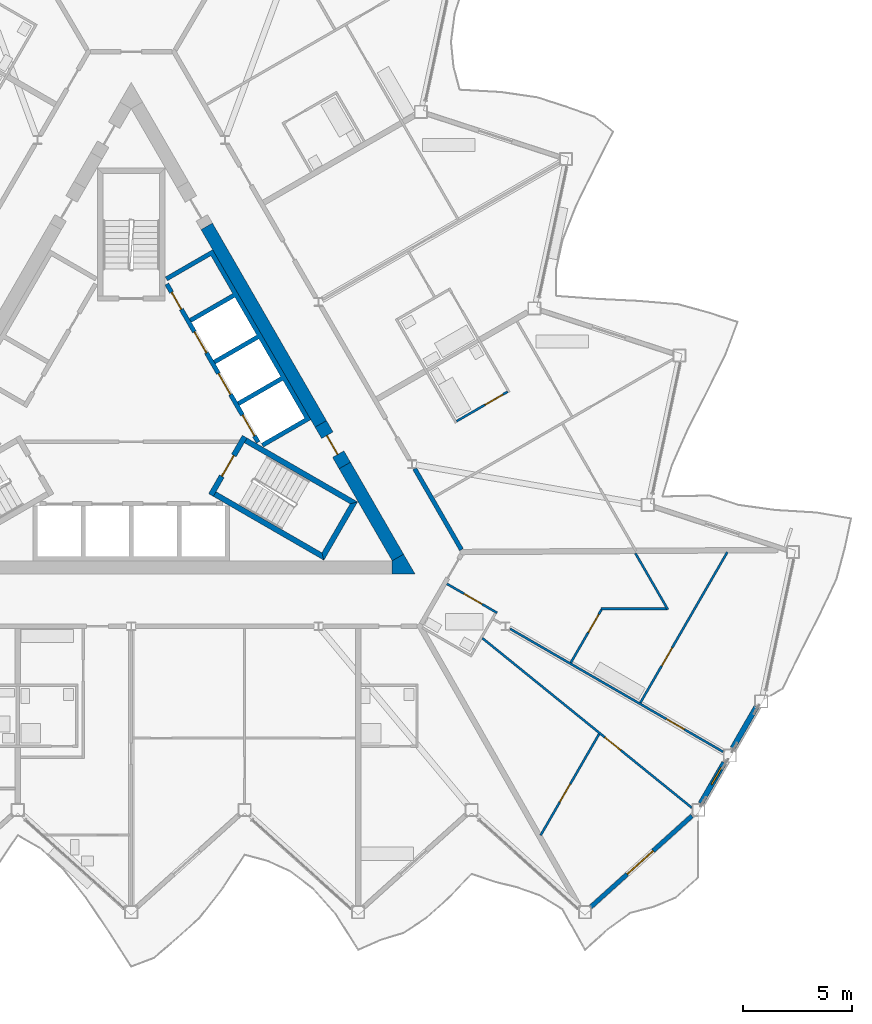
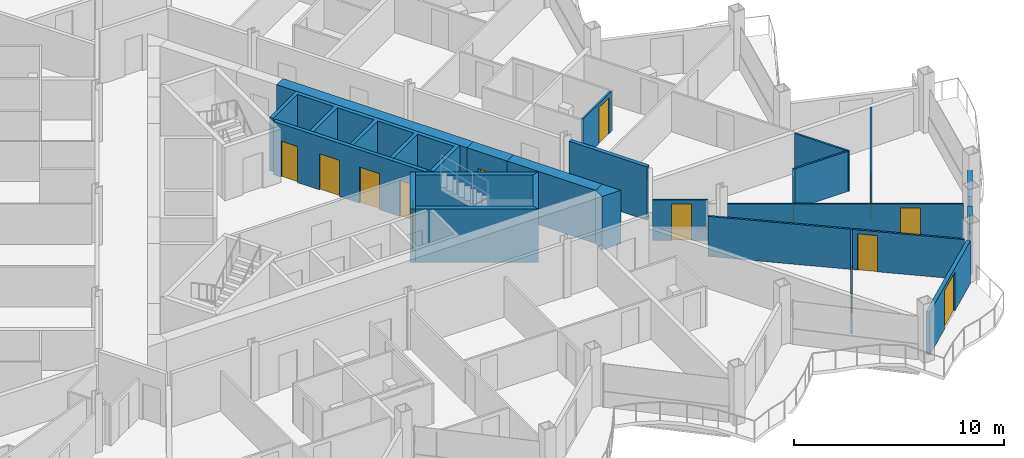
# One storey, part 15 of 26: 23 walls, 14 doors, 1 window, 15 openings.
"""IFC4 building model written with IfcOpenShell, lengths in metres."""

from ifc_helpers import new_model, si_unit, direction, frame, frame_2d, origin, place, context, subcontext, project, spatial, polyline, rectangle, outline, extrude, material, layer, layer_set, type_object, element, fill, save


model = new_model("IFC4")

# Units and contexts
model_context = context("Model", 3, precision=1e-05, world=origin(), true_north=direction((0.0, 1.0)))
body_context = subcontext(model_context, "Body", "Model", "MODEL_VIEW")
ifc_project = project(units=[si_unit("LENGTHUNIT", "METRE"), si_unit("AREAUNIT", "SQUARE_METRE"), si_unit("VOLUMEUNIT", "CUBIC_METRE"), si_unit("PLANEANGLEUNIT", "RADIAN"), si_unit("MASSUNIT", "GRAM", prefix="KILO")], contexts=[model_context])

# Site, building, storey
site_placement = place(None, origin())
site = spatial("IfcSite", under=ifc_project, at=site_placement, CompositionType="ELEMENT")
building_placement = place(site_placement, origin())
building = spatial("IfcBuilding", under=site, at=building_placement, Name="Cormorant Prow Tower", CompositionType="ELEMENT")
storey_placement = place(building_placement, frame((0.0, 0.0, 342.60009765625)))
storey = spatial("IfcBuildingStorey", under=building, at=storey_placement, Name="L77", CompositionType="ELEMENT", Elevation=342.60009765625)

# Walls
ifc_material_1 = material(Name="Concrete 8000 psi", Category="concrete")
ifc_layer_1 = layer(ifc_material_1, 0.60009765625)
ifc_layer_set_1 = layer_set([ifc_layer_1], Name="Concrete 8000 psi")
wall_type_1 = type_object("IfcWallType", Name="Core shear wall 600", PredefinedType="SHEAR", material=ifc_layer_set_1)
wall_1_placement = place(storey_placement, frame((8.686279296875, -0.6337890625, 0.0), z_axis=(0.0, 0.0, 1.0), x_axis=(-0.50001836461, 0.866014800712, 0.0)))
element("IfcWall", 1, at=wall_1_placement, inside=storey, type_object=wall_type_1, Name="Core wall", PredefinedType="SHEAR", context=body_context, shape_type="SweptSolid", body=[
    extrude(rectangle(XDim=10.45068359375, YDim=0.60009765625, at=frame_2d((5.225341796875, 0.0))), origin(), (0.0, 0.0, 1.0), 3.099853515625),
])
wall_2_placement = place(storey_placement, frame((12.220703125, -6.755615234375, 0.0), z_axis=(0.0, 0.0, 1.0), x_axis=(-0.50000604952, 0.866021911064, 0.0)))
element("IfcWall", 2, at=wall_2_placement, inside=storey, type_object=wall_type_1, Name="Core wall", PredefinedType="SHEAR", context=body_context, shape_type="SweptSolid", body=[
    extrude(rectangle(XDim=4.86865234375, YDim=0.60009765625, at=frame_2d((2.434326171875, 0.0))), origin(), (0.0, 0.0, 1.0), 3.099853515625),
])
wall_3_placement = place(storey_placement, origin())
element("IfcWall", 3, at=wall_3_placement, inside=storey, type_object=wall_type_1, Name="Core wall corner", PredefinedType="SHEAR", context=body_context, shape_type="SweptSolid", body=[
    extrude(outline(polyline([(11.960693359375, -7.505615234375), (11.960693359375, -6.905517578125), (12.48046875, -6.605712890625), (13.0, -7.505615234375), (11.960693359375, -7.505615234375)])), origin(), (0.0, 0.0, 1.0), 3.099853515625),
])

# Wall, opening, door
wall_4_placement = place(storey_placement, frame((9.786376953125, -2.539306640625, 0.0), z_axis=(0.0, 0.0, 1.0), x_axis=(-0.499981787252, 0.866035918664, 0.0)))
wall_4 = element("IfcWall", 4, at=wall_4_placement, inside=storey, type_object=wall_type_1, Name="Core wall door panel", PredefinedType="SHEAR", context=body_context, shape_type="SweptSolid", body=[
    extrude(rectangle(XDim=2.2001953125, YDim=0.60009765625, at=frame_2d((1.10009765625, 0.0))), origin(), (0.0, 0.0, 1.0), 3.099853515625),
])
opening_1_placement = place(wall_4_placement, frame((0.60009765625, 0.0, 0.0)))
opening_1 = element("IfcOpeningElement", 5, at=opening_1_placement, cuts=wall_4, Name="Opening L77-C16", PredefinedType="OPENING", context=body_context, shape_type="SweptSolid", body=[
    extrude(rectangle(XDim=1.0, YDim=2.10009765625, at=frame_2d((0.5, 1.050048828125))), frame((0.0, 0.31005859375, 0.0), z_axis=(0.0, -1.0, 0.0), x_axis=(1.0, 0.0, 0.0)), (0.0, 0.0, 1.0), 0.6201171875),
])
ifc_material_2 = material(Name="Painted steel", Category="steel")
door_type_1 = type_object("IfcDoorType", Name="Service door 1000x2100", OperationType="NOTDEFINED", PredefinedType="DOOR", material=ifc_material_2)
door_1_placement = place(opening_1_placement, origin())
door_1 = element("IfcDoor", 6, at=door_1_placement, inside=storey, type_object=door_type_1, Name="Core door, Telecom room", OperationType="SINGLE_SWING_LEFT", OverallHeight=2.10009765625, OverallWidth=1.0, PredefinedType="DOOR", context=body_context, shape_type="SweptSolid", body=[
    extrude(rectangle(XDim=1.0, YDim=2.10009765625, at=frame_2d((0.5, 1.050048828125))), frame((0.0, 0.05517578125, 0.0), z_axis=(0.0, -1.0, 0.0), x_axis=(1.0, 0.0, 0.0)), (0.0, 0.0, 1.0), 0.050048828125),
])
fill(opening_1, door_1)

# Wall
ifc_material_3 = material(Name="Gypsum board corridor wall")
ifc_layer_2 = layer(ifc_material_3, 0.199951171875)
ifc_layer_set_2 = layer_set([ifc_layer_2], Name="Gypsum board corridor wall")
wall_type_2 = type_object("IfcWallType", Name="Corridor wall 200", PredefinedType="PARTITIONING", material=ifc_layer_set_2)
wall_5_placement = place(storey_placement, frame((12.987548828125, -2.68408203125, 0.0), z_axis=(0.0, 0.0, 1.0), x_axis=(0.500003406062, -0.866023437285, 0.0)))
element("IfcWall", 7, at=wall_5_placement, inside=storey, type_object=wall_type_2, Name="Corridor wall", PredefinedType="PARTITIONING", context=body_context, shape_type="SweptSolid", body=[
    extrude(rectangle(XDim=4.28759765625, YDim=0.199951171875, at=frame_2d((2.143798828125, 0.0))), origin(), (0.0, 0.0, 1.0), 3.099853515625),
])

# Wall, opening, door
ifc_material_4 = material(Name="Gypsum board partition")
ifc_layer_3 = layer(ifc_material_4, 0.10009765625)
ifc_layer_set_3 = layer_set([ifc_layer_3], Name="Gypsum board partition")
wall_type_3 = type_object("IfcWallType", Name="Internal partition 100", PredefinedType="PARTITIONING", material=ifc_layer_set_3)
wall_6_placement = place(storey_placement, frame((16.0908203125, -10.451171875, 0.0), z_axis=(0.0, 0.0, 1.0), x_axis=(0.77714308631, -0.629323941544, 0.0)))
wall_6 = element("IfcWall", 8, at=wall_6_placement, inside=storey, type_object=wall_type_3, Name="Internal partition", PredefinedType="PARTITIONING", context=body_context, shape_type="SweptSolid", body=[
    extrude(rectangle(XDim=12.345947265625, YDim=0.10009765625, at=frame_2d((6.1728515625, 0.0))), origin(), (0.0, 0.0, 1.0), 2.330078125),
])
opening_2_placement = place(wall_6_placement, frame((7.21142578125, 0.0, 0.0)))
opening_2 = element("IfcOpeningElement", 9, at=opening_2_placement, cuts=wall_6, Name="Opening L77-F21", PredefinedType="OPENING", context=body_context, shape_type="SweptSolid", body=[
    extrude(rectangle(XDim=0.949951171875, YDim=2.10009765625, at=frame_2d((0.47509765625, 1.050048828125))), frame((0.0, 0.06005859375, 0.0), z_axis=(0.0, -1.0, 0.0), x_axis=(1.0, 0.0, 0.0)), (0.0, 0.0, 1.0), 0.1201171875),
])
ifc_material_5 = material(Name="Timber door leaf", Category="wood")
door_type_2 = type_object("IfcDoorType", Name="Bathroom door 950x2100", OperationType="NOTDEFINED", PredefinedType="DOOR", material=ifc_material_5)
door_2_placement = place(opening_2_placement, origin())
door_2 = element("IfcDoor", 10, at=door_2_placement, inside=storey, type_object=door_type_2, Name="Bedroom door", OperationType="SINGLE_SWING_LEFT", OverallHeight=2.10009765625, OverallWidth=0.949951171875, PredefinedType="DOOR", context=body_context, shape_type="SweptSolid", body=[
    extrude(rectangle(XDim=0.949951171875, YDim=2.10009765625, at=frame_2d((0.47509765625, 1.050048828125))), frame((0.0, 0.02490234375, 0.0), z_axis=(0.0, -1.0, 0.0), x_axis=(1.0, 0.0, 0.0)), (0.0, 0.0, 1.0), 0.050048828125),
])
fill(opening_2, door_2)

wall_7_placement = place(storey_placement, frame((17.364501953125, -10.025390625, 0.0), z_axis=(0.0, 0.0, 1.0), x_axis=(0.866021046153, -0.500007547564, 0.0)))
wall_7 = element("IfcWall", 11, at=wall_7_placement, inside=storey, type_object=wall_type_3, Name="Internal partition", PredefinedType="PARTITIONING", context=body_context, shape_type="SweptSolid", body=[
    extrude(rectangle(XDim=11.267333984375, YDim=0.10009765625, at=frame_2d((5.6337890625, 0.0))), origin(), (0.0, 0.0, 1.0), 2.330078125),
])
opening_3_placement = place(wall_7_placement, frame((8.263916015625, 0.0, 0.0)))
opening_3 = element("IfcOpeningElement", 12, at=opening_3_placement, cuts=wall_7, Name="Opening L77-F20", PredefinedType="OPENING", context=body_context, shape_type="SweptSolid", body=[
    extrude(rectangle(XDim=0.949951171875, YDim=2.10009765625, at=frame_2d((0.47509765625, 1.050048828125))), frame((0.0, 0.06005859375, 0.0), z_axis=(0.0, -1.0, 0.0), x_axis=(1.0, 0.0, 0.0)), (0.0, 0.0, 1.0), 0.1201171875),
])
door_3_placement = place(opening_3_placement, origin())
door_3 = element("IfcDoor", 13, at=door_3_placement, inside=storey, type_object=door_type_2, Name="Dining room door", OperationType="SINGLE_SWING_RIGHT", OverallHeight=2.10009765625, OverallWidth=0.949951171875, PredefinedType="DOOR", context=body_context, shape_type="SweptSolid", body=[
    extrude(rectangle(XDim=0.949951171875, YDim=2.10009765625, at=frame_2d((0.47509765625, 1.050048828125))), frame((0.0, 0.02490234375, 0.0), z_axis=(0.0, -1.0, 0.0), x_axis=(1.0, 0.0, 0.0)), (0.0, 0.0, 1.0), 0.050048828125),
])
fill(opening_3, door_3)

wall_8_placement = place(storey_placement, frame((23.330810546875, -13.412353515625, 0.0), z_axis=(0.0, 0.0, 1.0), x_axis=(0.499994510044, 0.866028573389, 0.0)))
wall_8 = element("IfcWall", 14, at=wall_8_placement, inside=storey, type_object=wall_type_3, Name="Internal partition", PredefinedType="PARTITIONING", context=body_context, shape_type="SweptSolid", body=[
    extrude(rectangle(XDim=7.97509765625, YDim=0.10009765625, at=frame_2d((3.987548828125, 0.0))), origin(), (0.0, 0.0, 1.0), 2.330078125),
])
opening_4_placement = place(wall_8_placement, frame((1.95654296875, 0.0, 0.0)))
opening_4 = element("IfcOpeningElement", 15, at=opening_4_placement, cuts=wall_8, Name="Opening L77-F19", PredefinedType="OPENING", context=body_context, shape_type="SweptSolid", body=[
    extrude(rectangle(XDim=0.949951171875, YDim=2.10009765625, at=frame_2d((0.47509765625, 1.050048828125))), frame((0.0, 0.06005859375, 0.0), z_axis=(0.0, -1.0, 0.0), x_axis=(1.0, 0.0, 0.0)), (0.0, 0.0, 1.0), 0.1201171875),
])
door_4_placement = place(opening_4_placement, origin())
door_4 = element("IfcDoor", 16, at=door_4_placement, inside=storey, type_object=door_type_2, Name="Kitchen door", OperationType="SINGLE_SWING_LEFT", OverallHeight=2.10009765625, OverallWidth=0.949951171875, PredefinedType="DOOR", context=body_context, shape_type="SweptSolid", body=[
    extrude(rectangle(XDim=0.949951171875, YDim=2.10009765625, at=frame_2d((0.47509765625, 1.050048828125))), frame((0.0, 0.02490234375, 0.0), z_axis=(0.0, -1.0, 0.0), x_axis=(1.0, 0.0, 0.0)), (0.0, 0.0, 1.0), 0.050048828125),
])
fill(opening_4, door_4)

wall_9_placement = place(storey_placement, frame((18.761474609375, -19.484619140625, 0.0), z_axis=(0.0, 0.0, 1.0), x_axis=(0.500031527488, 0.866007200615, 0.0)))
wall_9 = element("IfcWall", 17, at=wall_9_placement, inside=storey, type_object=wall_type_3, Name="Internal partition", PredefinedType="PARTITIONING", context=body_context, shape_type="SweptSolid", body=[
    extrude(rectangle(XDim=5.356201171875, YDim=0.10009765625, at=frame_2d((2.67822265625, 0.0))), origin(), (0.0, 0.0, 1.0), 2.330078125),
])
opening_5_placement = place(wall_9_placement, frame((1.75244140625, 0.0, 0.0)))
opening_5 = element("IfcOpeningElement", 18, at=opening_5_placement, cuts=wall_9, Name="Opening L77-F22", PredefinedType="OPENING", context=body_context, shape_type="SweptSolid", body=[
    extrude(rectangle(XDim=0.949951171875, YDim=2.10009765625, at=frame_2d((0.47509765625, 1.050048828125))), frame((0.0, 0.06005859375, 0.0), z_axis=(0.0, -1.0, 0.0), x_axis=(1.0, 0.0, 0.0)), (0.0, 0.0, 1.0), 0.1201171875),
])
door_5_placement = place(opening_5_placement, origin())
door_5 = element("IfcDoor", 19, at=door_5_placement, inside=storey, type_object=door_type_2, Name="Bedroom door", OperationType="SINGLE_SWING_RIGHT", OverallHeight=2.10009765625, OverallWidth=0.949951171875, PredefinedType="DOOR", context=body_context, shape_type="SweptSolid", body=[
    extrude(rectangle(XDim=0.949951171875, YDim=2.10009765625, at=frame_2d((0.47509765625, 1.050048828125))), frame((0.0, 0.02490234375, 0.0), z_axis=(0.0, -1.0, 0.0), x_axis=(1.0, 0.0, 0.0)), (0.0, 0.0, 1.0), 0.050048828125),
])
fill(opening_5, door_5)

# Walls
wall_10_placement = place(storey_placement, frame((23.10400390625, -6.563232421875, 0.0), z_axis=(0.0, 0.0, 1.0), x_axis=(0.499999078476, -0.866025935826, 0.0)))
element("IfcWall", 20, at=wall_10_placement, inside=storey, type_object=wall_type_3, Name="Internal partition", PredefinedType="PARTITIONING", context=body_context, shape_type="SweptSolid", body=[
    extrude(rectangle(XDim=2.9794921875, YDim=0.10009765625, at=frame_2d((1.48974609375, 0.0))), origin(), (0.0, 0.0, 1.0), 2.330078125),
])
wall_11_placement = place(storey_placement, frame((21.522705078125, -9.100341796875, 0.0), z_axis=(0.0, 0.0, 1.0), x_axis=(1.0, 0.0, 0.0)))
element("IfcWall", 21, at=wall_11_placement, inside=storey, type_object=wall_type_3, Name="Internal partition", PredefinedType="PARTITIONING", context=body_context, shape_type="SweptSolid", body=[
    extrude(rectangle(XDim=2.99609375, YDim=0.10009765625, at=frame_2d((1.498046875, 0.0))), origin(), (0.0, 0.0, 1.0), 2.330078125),
])

# Wall, opening, door
wall_12_placement = place(storey_placement, frame((20.14501953125, -11.572998046875, 0.0), z_axis=(0.0, 0.0, 1.0), x_axis=(0.49998612769, 0.866033412818, 0.0)))
wall_12 = element("IfcWall", 22, at=wall_12_placement, inside=storey, type_object=wall_type_3, Name="Internal partition", PredefinedType="PARTITIONING", context=body_context, shape_type="SweptSolid", body=[
    extrude(rectangle(XDim=2.80517578125, YDim=0.10009765625, at=frame_2d((1.402587890625, 0.0))), origin(), (0.0, 0.0, 1.0), 2.330078125),
])
opening_6_placement = place(wall_12_placement, frame((1.605224609375, 0.0, 0.0)))
opening_6 = element("IfcOpeningElement", 23, at=opening_6_placement, cuts=wall_12, Name="Opening L77-F18", PredefinedType="OPENING", context=body_context, shape_type="SweptSolid", body=[
    extrude(rectangle(XDim=0.949951171875, YDim=2.10009765625, at=frame_2d((0.47509765625, 1.050048828125))), frame((0.0, 0.06005859375, 0.0), z_axis=(0.0, -1.0, 0.0), x_axis=(1.0, 0.0, 0.0)), (0.0, 0.0, 1.0), 0.1201171875),
])
door_6_placement = place(opening_6_placement, origin())
door_6 = element("IfcDoor", 24, at=door_6_placement, inside=storey, type_object=door_type_2, Name="Living room door", OperationType="SINGLE_SWING_RIGHT", OverallHeight=2.10009765625, OverallWidth=0.949951171875, PredefinedType="DOOR", context=body_context, shape_type="SweptSolid", body=[
    extrude(rectangle(XDim=0.949951171875, YDim=2.10009765625, at=frame_2d((0.47509765625, 1.050048828125))), frame((0.0, 0.02490234375, 0.0), z_axis=(0.0, -1.0, 0.0), x_axis=(1.0, 0.0, 0.0)), (0.0, 0.0, 1.0), 0.050048828125),
])
fill(opening_6, door_6)

wall_13_placement = place(storey_placement, frame((14.90869140625, -0.51171875, 0.0), z_axis=(0.0, 0.0, 1.0), x_axis=(0.866019956843, 0.50000943426, 0.0)))
wall_13 = element("IfcWall", 25, at=wall_13_placement, inside=storey, type_object=wall_type_3, Name="Internal partition", PredefinedType="PARTITIONING", context=body_context, shape_type="SweptSolid", body=[
    extrude(rectangle(XDim=2.7001953125, YDim=0.10009765625, at=frame_2d((1.35009765625, 0.0))), origin(), (0.0, 0.0, 1.0), 2.330078125),
])
opening_7_placement = place(wall_13_placement, frame((1.5, 0.0, 0.0)))
opening_7 = element("IfcOpeningElement", 26, at=opening_7_placement, cuts=wall_13, Name="Opening L77-F24", PredefinedType="OPENING", context=body_context, shape_type="SweptSolid", body=[
    extrude(rectangle(XDim=0.949951171875, YDim=2.10009765625, at=frame_2d((0.47509765625, 1.050048828125))), frame((0.0, 0.06005859375, 0.0), z_axis=(0.0, -1.0, 0.0), x_axis=(1.0, 0.0, 0.0)), (0.0, 0.0, 1.0), 0.1201171875),
])
door_7_placement = place(opening_7_placement, origin())
door_7 = element("IfcDoor", 27, at=door_7_placement, inside=storey, type_object=door_type_2, Name="Living room door", OperationType="SINGLE_SWING_RIGHT", OverallHeight=2.10009765625, OverallWidth=0.949951171875, PredefinedType="DOOR", context=body_context, shape_type="SweptSolid", body=[
    extrude(rectangle(XDim=0.949951171875, YDim=2.10009765625, at=frame_2d((0.47509765625, 1.050048828125))), frame((0.0, 0.02490234375, 0.0), z_axis=(0.0, -1.0, 0.0), x_axis=(1.0, 0.0, 0.0)), (0.0, 0.0, 1.0), 0.050048828125),
])
fill(opening_7, door_7)

wall_14_placement = place(storey_placement, frame((14.467529296875, -7.963623046875, 0.0), z_axis=(0.0, 0.0, 1.0), x_axis=(0.865989200783, -0.500062700197, 0.0)))
wall_14 = element("IfcWall", 28, at=wall_14_placement, inside=storey, type_object=wall_type_3, Name="Internal partition", PredefinedType="PARTITIONING", context=body_context, shape_type="SweptSolid", body=[
    extrude(rectangle(XDim=2.650146484375, YDim=0.10009765625, at=frame_2d((1.3251953125, 0.0))), origin(), (0.0, 0.0, 1.0), 2.330078125),
])
opening_8_placement = place(wall_14_placement, frame((0.904541015625, 0.0, 0.0)))
opening_8 = element("IfcOpeningElement", 29, at=opening_8_placement, cuts=wall_14, Name="Opening L77-F17", PredefinedType="OPENING", context=body_context, shape_type="SweptSolid", body=[
    extrude(rectangle(XDim=0.949951171875, YDim=2.10009765625, at=frame_2d((0.47509765625, 1.050048828125))), frame((0.0, 0.06005859375, 0.0), z_axis=(0.0, -1.0, 0.0), x_axis=(1.0, 0.0, 0.0)), (0.0, 0.0, 1.0), 0.1201171875),
])
door_8_placement = place(opening_8_placement, origin())
door_8 = element("IfcDoor", 30, at=door_8_placement, inside=storey, type_object=door_type_2, Name="Living room door", OperationType="SINGLE_SWING_RIGHT", OverallHeight=2.10009765625, OverallWidth=0.949951171875, PredefinedType="DOOR", context=body_context, shape_type="SweptSolid", body=[
    extrude(rectangle(XDim=0.949951171875, YDim=2.10009765625, at=frame_2d((0.47509765625, 1.050048828125))), frame((0.0, 0.02490234375, 0.0), z_axis=(0.0, -1.0, 0.0), x_axis=(1.0, 0.0, 0.0)), (0.0, 0.0, 1.0), 0.050048828125),
])
fill(opening_8, door_8)

# Wall, openings, doors
ifc_material_6 = material(Name="Concrete 5000 psi", Category="concrete")
ifc_layer_4 = layer(ifc_material_6, 0.199951171875)
ifc_layer_set_4 = layer_set([ifc_layer_4], Name="Concrete 5000 psi")
wall_type_4 = type_object("IfcWallType", Name="Lift lobby wall 200", PredefinedType="SOLIDWALL", material=ifc_layer_set_4)
wall_15_placement = place(storey_placement, frame((5.817138671875, -1.4755859375, 0.0), z_axis=(0.0, 0.0, 1.0), x_axis=(-0.500002616675, 0.866023893041, 0.0)))
wall_15 = element("IfcWall", 31, at=wall_15_placement, inside=storey, type_object=wall_type_4, Name="Lift lobby wall, ENE block", PredefinedType="SOLIDWALL", context=body_context, shape_type="SweptSolid", body=[
    extrude(rectangle(XDim=8.373046875, YDim=0.199951171875, at=frame_2d((4.1865234375, 0.0))), origin(), (0.0, 0.0, 1.0), 3.099853515625),
])
opening_9_placement = place(wall_15_placement, frame((0.336669921875, 0.0, 0.0)))
opening_9 = element("IfcOpeningElement", 32, at=opening_9_placement, cuts=wall_15, Name="Opening L77-C05", PredefinedType="OPENING", context=body_context, shape_type="SweptSolid", body=[
    extrude(rectangle(XDim=1.10009765625, YDim=2.10009765625, at=frame_2d((0.550048828125, 1.050048828125))), frame((0.0, 0.10986328125, 0.0), z_axis=(0.0, -1.0, 0.0), x_axis=(1.0, 0.0, 0.0)), (0.0, 0.0, 1.0), 0.219970703125),
])
opening_10_placement = place(wall_15_placement, frame((2.53662109375, 0.0, 0.0)))
opening_10 = element("IfcOpeningElement", 33, at=opening_10_placement, cuts=wall_15, Name="Opening L77-C06", PredefinedType="OPENING", context=body_context, shape_type="SweptSolid", body=[
    extrude(rectangle(XDim=1.10009765625, YDim=2.10009765625, at=frame_2d((0.550048828125, 1.050048828125))), frame((0.0, 0.10986328125, 0.0), z_axis=(0.0, -1.0, 0.0), x_axis=(1.0, 0.0, 0.0)), (0.0, 0.0, 1.0), 0.219970703125),
])
opening_11_placement = place(wall_15_placement, frame((4.736572265625, 0.0, 0.0)))
opening_11 = element("IfcOpeningElement", 34, at=opening_11_placement, cuts=wall_15, Name="Opening L77-C07", PredefinedType="OPENING", context=body_context, shape_type="SweptSolid", body=[
    extrude(rectangle(XDim=1.10009765625, YDim=2.10009765625, at=frame_2d((0.550048828125, 1.050048828125))), frame((0.0, 0.10986328125, 0.0), z_axis=(0.0, -1.0, 0.0), x_axis=(1.0, 0.0, 0.0)), (0.0, 0.0, 1.0), 0.219970703125),
])
opening_12_placement = place(wall_15_placement, frame((7.03662109375, 0.0, 0.0)))
opening_12 = element("IfcOpeningElement", 35, at=opening_12_placement, cuts=wall_15, Name="Opening L77-C08", PredefinedType="OPENING", context=body_context, shape_type="SweptSolid", body=[
    extrude(rectangle(XDim=0.89990234375, YDim=2.10009765625, at=frame_2d((0.449951171875, 1.050048828125))), frame((0.0, 0.10986328125, 0.0), z_axis=(0.0, -1.0, 0.0), x_axis=(1.0, 0.0, 0.0)), (0.0, 0.0, 1.0), 0.219970703125),
])
ifc_material_7 = material(Name="Painted steel", Category="steel")
door_type_3 = type_object("IfcDoorType", Name="Lift landing door 1100x2100", OperationType="SLIDING_TO_LEFT", PredefinedType="DOOR", material=ifc_material_7)
door_9_placement = place(opening_9_placement, origin())
door_9 = element("IfcDoor", 36, at=door_9_placement, inside=storey, type_object=door_type_3, Name="Landing door HR2", OperationType="SLIDING_TO_LEFT", OverallHeight=2.10009765625, OverallWidth=1.10009765625, PredefinedType="DOOR", context=body_context, shape_type="SweptSolid", body=[
    extrude(rectangle(XDim=1.10009765625, YDim=2.10009765625, at=frame_2d((0.550048828125, 1.050048828125))), frame((0.0, 0.02490234375, 0.0), z_axis=(0.0, -1.0, 0.0), x_axis=(1.0, 0.0, 0.0)), (0.0, 0.0, 1.0), 0.050048828125),
])
fill(opening_9, door_9)
door_10_placement = place(opening_10_placement, origin())
door_10 = element("IfcDoor", 37, at=door_10_placement, inside=storey, type_object=door_type_3, Name="Landing door HR3", OperationType="SLIDING_TO_LEFT", OverallHeight=2.10009765625, OverallWidth=1.10009765625, PredefinedType="DOOR", context=body_context, shape_type="SweptSolid", body=[
    extrude(rectangle(XDim=1.10009765625, YDim=2.10009765625, at=frame_2d((0.550048828125, 1.050048828125))), frame((0.0, 0.02490234375, 0.0), z_axis=(0.0, -1.0, 0.0), x_axis=(1.0, 0.0, 0.0)), (0.0, 0.0, 1.0), 0.050048828125),
])
fill(opening_10, door_10)
door_11_placement = place(opening_11_placement, origin())
door_11 = element("IfcDoor", 38, at=door_11_placement, inside=storey, type_object=door_type_3, Name="Landing door HR4", OperationType="SLIDING_TO_LEFT", OverallHeight=2.10009765625, OverallWidth=1.10009765625, PredefinedType="DOOR", context=body_context, shape_type="SweptSolid", body=[
    extrude(rectangle(XDim=1.10009765625, YDim=2.10009765625, at=frame_2d((0.550048828125, 1.050048828125))), frame((0.0, 0.02490234375, 0.0), z_axis=(0.0, -1.0, 0.0), x_axis=(1.0, 0.0, 0.0)), (0.0, 0.0, 1.0), 0.050048828125),
])
fill(opening_11, door_11)
ifc_material_8 = material(Name="Painted steel", Category="steel")
door_type_4 = type_object("IfcDoorType", Name="Service door 900x2100", OperationType="NOTDEFINED", PredefinedType="DOOR", material=ifc_material_8)
door_12_placement = place(opening_12_placement, origin())
door_12 = element("IfcDoor", 39, at=door_12_placement, inside=storey, type_object=door_type_4, Name="Service door, Refuse store", OperationType="SINGLE_SWING_RIGHT", OverallHeight=2.10009765625, OverallWidth=0.89990234375, PredefinedType="DOOR", context=body_context, shape_type="SweptSolid", body=[
    extrude(rectangle(XDim=0.89990234375, YDim=2.10009765625, at=frame_2d((0.449951171875, 1.050048828125))), frame((0.0, 0.02490234375, 0.0), z_axis=(0.0, -1.0, 0.0), x_axis=(1.0, 0.0, 0.0)), (0.0, 0.0, 1.0), 0.050048828125),
])
fill(opening_12, door_12)

# Walls
ifc_material_9 = material(Name="Concrete 8000 psi", Category="concrete")
ifc_layer_5 = layer(ifc_material_9, 0.199951171875)
ifc_layer_set_5 = layer_set([ifc_layer_5], Name="Concrete 8000 psi")
wall_type_5 = type_object("IfcWallType", Name="Lift shaft wall 200", PredefinedType="SHEAR", material=ifc_layer_set_5)
wall_16_placement = place(storey_placement, origin())
element("IfcWall", 40, at=wall_16_placement, inside=storey, type_object=wall_type_5, Name="Lift shaft walls, ENE block", PredefinedType="SHEAR", context=body_context, shape_type="SweptSolid", body=[
    extrude(outline(polyline([(1.560546875, 6.09716796875), (3.730712890625, 7.35009765625), (8.230712890625, -0.444091796875), (6.060546875, -1.697021484375), (5.96044921875, -1.52392578125), (7.952392578125, -0.373779296875), (6.952392578125, 1.358154296875), (4.96044921875, 0.2080078125), (4.860595703125, 0.38134765625), (6.852294921875, 1.53125), (5.852294921875, 3.263427734375), (3.860595703125, 2.11328125), (3.760498046875, 2.28662109375), (5.75244140625, 3.4365234375), (4.75244140625, 5.168701171875), (2.760498046875, 4.018798828125), (2.660400390625, 4.19189453125), (4.65234375, 5.341796875), (3.65234375, 7.073974609375), (1.660400390625, 5.923828125), (1.560546875, 6.09716796875)])), origin(), (0.0, 0.0, 1.0), 3.099853515625),
])
ifc_material_10 = material(Name="Concrete 8000 psi", Category="concrete")
ifc_layer_6 = layer(ifc_material_10, 0.25)
ifc_layer_set_6 = layer_set([ifc_layer_6], Name="Concrete 8000 psi")
wall_type_6 = type_object("IfcWallType", Name="Stair wall 250", PredefinedType="SHEAR", material=ifc_layer_set_6)
wall_17_placement = place(storey_placement, origin())
element("IfcWall", 41, at=wall_17_placement, inside=storey, type_object=wall_type_6, Name="Stair ST2 enclosure wall (flank)", PredefinedType="SHEAR", context=body_context, shape_type="SweptSolid", body=[
    extrude(outline(polyline([(3.76318359375, -3.95556640625), (8.82958984375, -6.880615234375), (8.738037109375, -6.5390625), (3.88818359375, -3.739013671875), (3.76318359375, -3.95556640625)])), origin(), (0.0, 0.0, 1.0), 3.099853515625),
])
wall_18_placement = place(storey_placement, origin())
element("IfcWall", 42, at=wall_18_placement, inside=storey, type_object=wall_type_6, Name="Stair ST2 enclosure wall (end)", PredefinedType="SHEAR", context=body_context, shape_type="SweptSolid", body=[
    extrude(outline(polyline([(8.82958984375, -6.880615234375), (10.37353515625, -4.206298828125), (10.031982421875, -4.2978515625), (8.738037109375, -6.5390625), (8.82958984375, -6.880615234375)])), origin(), (0.0, 0.0, 1.0), 3.099853515625),
])
wall_19_placement = place(storey_placement, origin())
element("IfcWall", 43, at=wall_19_placement, inside=storey, type_object=wall_type_6, Name="Stair ST2 enclosure wall (flank)", PredefinedType="SHEAR", context=body_context, shape_type="SweptSolid", body=[
    extrude(outline(polyline([(10.031982421875, -4.2978515625), (10.37353515625, -4.206298828125), (5.30712890625, -1.28125), (5.18212890625, -1.497802734375), (10.031982421875, -4.2978515625)])), origin(), (0.0, 0.0, 1.0), 3.099853515625),
])

# Wall, opening, door
wall_20_placement = place(storey_placement, frame((3.655029296875, -3.89306640625, 0.0), z_axis=(0.0, 0.0, 1.0), x_axis=(0.499982516597, 0.866035497597, 0.0)))
wall_20 = element("IfcWall", 44, at=wall_20_placement, inside=storey, type_object=wall_type_6, Name="Stair ST2 door wall", PredefinedType="SHEAR", context=body_context, shape_type="SweptSolid", body=[
    extrude(rectangle(XDim=3.087890625, YDim=0.25, at=frame_2d((1.5439453125, 0.0))), origin(), (0.0, 0.0, 1.0), 3.099853515625),
])
opening_13_placement = place(wall_20_placement, frame((0.993896484375, 0.0, 0.0)))
opening_13 = element("IfcOpeningElement", 45, at=opening_13_placement, cuts=wall_20, Name="Opening L77-C13", PredefinedType="OPENING", context=body_context, shape_type="SweptSolid", body=[
    extrude(rectangle(XDim=1.10009765625, YDim=2.10009765625, at=frame_2d((0.550048828125, 1.050048828125))), frame((0.0, 0.135009765625, 0.0), z_axis=(0.0, -1.0, 0.0), x_axis=(1.0, 0.0, 0.0)), (0.0, 0.0, 1.0), 0.27001953125),
])
ifc_material_11 = material(Name="Painted steel", Category="steel")
door_type_5 = type_object("IfcDoorType", Name="Stair door 1100x2100", OperationType="NOTDEFINED", PredefinedType="DOOR", material=ifc_material_11)
door_13_placement = place(opening_13_placement, origin())
door_13 = element("IfcDoor", 46, at=door_13_placement, inside=storey, type_object=door_type_5, Name="Stair ST2 door", OperationType="SINGLE_SWING_RIGHT", OverallHeight=2.10009765625, OverallWidth=1.10009765625, PredefinedType="DOOR", context=body_context, shape_type="SweptSolid", body=[
    extrude(rectangle(XDim=1.10009765625, YDim=2.10009765625, at=frame_2d((0.550048828125, 1.050048828125))), frame((0.0, 0.02490234375, 0.0), z_axis=(0.0, -1.0, 0.0), x_axis=(1.0, 0.0, 0.0)), (0.0, 0.0, 1.0), 0.050048828125),
])
fill(opening_13, door_13)

# Wall, opening, window
ifc_material_12 = material(Name="Terracotta", Category="masonry")
ifc_layer_7 = layer(ifc_material_12, 0.25)
ifc_layer_set_7 = layer_set([ifc_layer_7], Name="Terracotta")
wall_type_7 = type_object("IfcWallType", Name="Terracotta bay wall 250", PredefinedType="SOLIDWALL", material=ifc_layer_set_7)
wall_21_placement = place(storey_placement, frame((26.096435546875, -18.027099609375, 0.0), z_axis=(0.0, 0.0, 1.0), x_axis=(0.499983569942, 0.866034889475, 0.0)))
wall_21 = element("IfcWall", 47, at=wall_21_placement, inside=storey, type_object=wall_type_7, Name="Terracotta bay wall ESE00", PredefinedType="SOLIDWALL", context=body_context, shape_type="SweptSolid", body=[
    extrude(rectangle(XDim=2.158203125, YDim=0.25, at=frame_2d((1.0791015625, 0.0))), origin(), (0.0, 0.0, 1.0), 2.48779296875),
])
opening_14_placement = place(wall_21_placement, frame((1.0, 0.0, 1.60009765625)))
opening_14 = element("IfcOpeningElement", 48, at=opening_14_placement, cuts=wall_21, Name="Opening WN7", PredefinedType="OPENING", context=body_context, shape_type="SweptSolid", body=[
    extrude(rectangle(XDim=0.89990234375, YDim=0.60009765625, at=frame_2d((0.449951171875, 0.300048828125))), frame((0.0, 0.135009765625, 0.0), z_axis=(0.0, -1.0, 0.0), x_axis=(1.0, 0.0, 0.0)), (0.0, 0.0, 1.0), 0.27001953125),
])
ifc_material_13 = material(Name="Aluminium 6063-T6", Category="aluminium")
window_type = type_object("IfcWindowType", Name="Corner bay window 900x600", PartitioningType="SINGLE_PANEL", PredefinedType="WINDOW", material=ifc_material_13)
window_placement = place(opening_14_placement, origin())
window = element("IfcWindow", 49, at=window_placement, inside=storey, type_object=window_type, Name="Corner bay window ESE00", OverallHeight=0.60009765625, OverallWidth=0.89990234375, PartitioningType="SINGLE_PANEL", PredefinedType="WINDOW", context=body_context, shape_type="SweptSolid", body=[
    extrude(rectangle(XDim=0.89990234375, YDim=0.60009765625, at=frame_2d((0.449951171875, 0.300048828125))), frame((0.0, 0.030029296875, 0.0), z_axis=(0.0, -1.0, 0.0), x_axis=(1.0, 0.0, 0.0)), (0.0, 0.0, 1.0), 0.06005859375),
])
fill(opening_14, window)

# Wall
wall_22_placement = place(storey_placement, frame((27.562255859375, -15.488037109375, 0.0), z_axis=(0.0, 0.0, 1.0), x_axis=(0.500049712553, 0.865996700326, 0.0)))
element("IfcWall", 50, at=wall_22_placement, inside=storey, type_object=wall_type_7, Name="Terracotta bay wall ESE01", PredefinedType="SOLIDWALL", context=body_context, shape_type="SweptSolid", body=[
    extrude(rectangle(XDim=2.195556640625, YDim=0.25, at=frame_2d((1.09765625, 0.0))), origin(), (0.0, 0.0, 1.0), 2.48779296875),
])

# Wall, opening, door
ifc_material_14 = material(Name="Terracotta", Category="masonry")
ifc_layer_8 = layer(ifc_material_14, 0.199951171875)
ifc_layer_set_8 = layer_set([ifc_layer_8], Name="Terracotta")
wall_type_8 = type_object("IfcWallType", Name="Terracotta jamb wall 200", PredefinedType="SOLIDWALL", material=ifc_layer_set_8)
wall_23_placement = place(storey_placement, frame((21.045654296875, -22.78076171875, 0.0), z_axis=(0.0, 0.0, 1.0), x_axis=(0.743154335217, 0.669120044572, 0.0)))
wall_23 = element("IfcWall", 51, at=wall_23_placement, inside=storey, type_object=wall_type_8, Name="Terracotta jamb wall S09", PredefinedType="SOLIDWALL", context=body_context, shape_type="SweptSolid", body=[
    extrude(rectangle(XDim=6.25244140625, YDim=0.199951171875, at=frame_2d((3.126220703125, 0.0))), origin(), (0.0, 0.0, 1.0), 2.48779296875),
])
opening_15_placement = place(wall_23_placement, frame((2.262939453125, 0.0, 0.0)))
opening_15 = element("IfcOpeningElement", 52, at=opening_15_placement, cuts=wall_23, Name="Opening ED77.05", PredefinedType="OPENING", context=body_context, shape_type="SweptSolid", body=[
    extrude(rectangle(XDim=1.60009765625, YDim=2.25, at=frame_2d((0.800048828125, 1.125))), frame((0.0, 0.10986328125, 0.0), z_axis=(0.0, -1.0, 0.0), x_axis=(1.0, 0.0, 0.0)), (0.0, 0.0, 1.0), 0.219970703125),
])
ifc_material_15 = material(Name="Aluminium 6063-T6", Category="aluminium")
door_type_6 = type_object("IfcDoorType", Name="Balcony door 1600x2250", OperationType="DOUBLE_DOOR_SINGLE_SWING", PredefinedType="DOOR", material=ifc_material_15)
door_14_placement = place(opening_15_placement, origin())
door_14 = element("IfcDoor", 53, at=door_14_placement, inside=storey, type_object=door_type_6, Name="Balcony door S09 ED77.05", OperationType="DOUBLE_DOOR_SINGLE_SWING", OverallHeight=2.25, OverallWidth=1.60009765625, PredefinedType="DOOR", context=body_context, shape_type="SweptSolid", body=[
    extrude(rectangle(XDim=1.60009765625, YDim=2.25, at=frame_2d((0.800048828125, 1.125))), frame((0.0, 0.02490234375, 0.0), z_axis=(0.0, -1.0, 0.0), x_axis=(1.0, 0.0, 0.0)), (0.0, 0.0, 1.0), 0.050048828125),
])
fill(opening_15, door_14)

save(model, "model.ifc")
